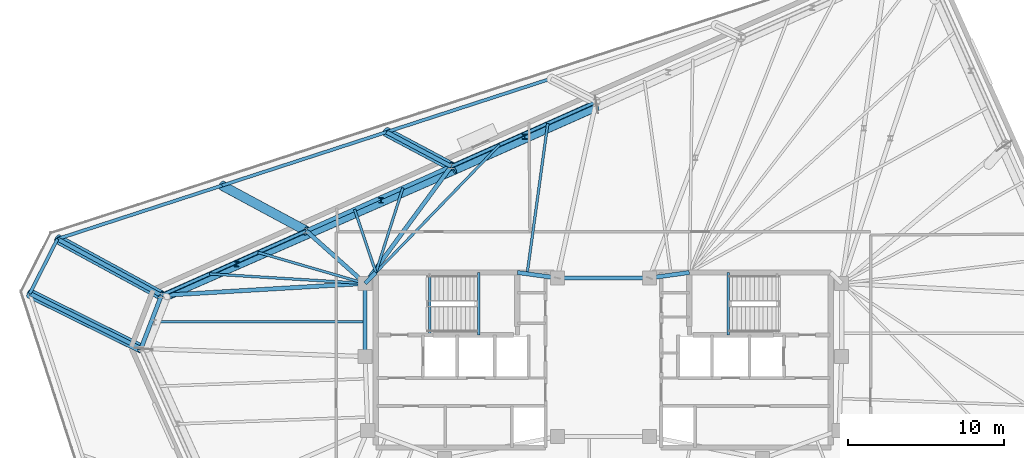
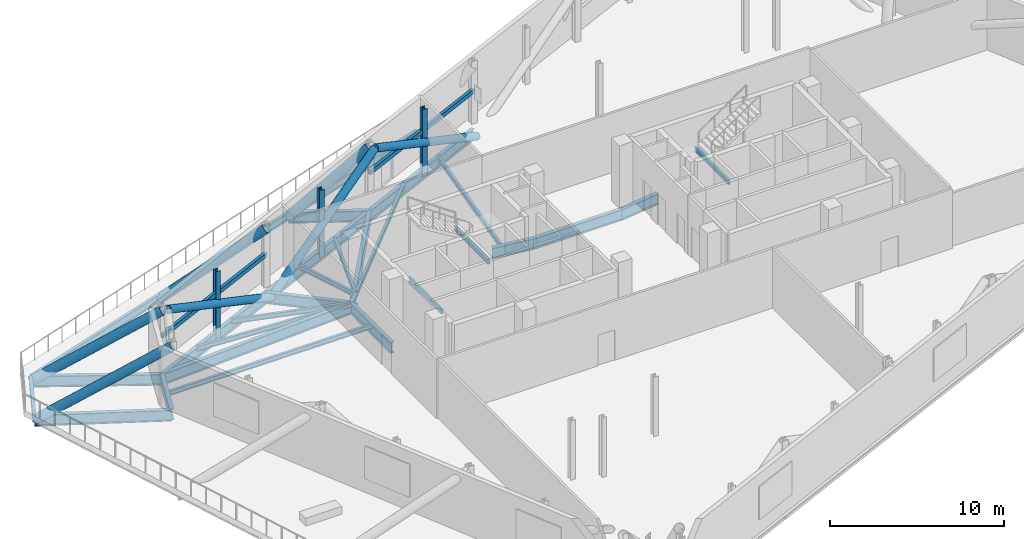
# One storey, part 6 of 15: 29 beams, 12 members.
"""IFC4 building model written with IfcOpenShell, lengths in metres."""

from ifc_helpers import new_model, si_unit, direction, frame, origin, origin_2d, place, context, subcontext, project, spatial, hollow_rectangle, hollow_circle, i_section, extrude, material, material_profile, profile_set, type_object, element, save


model = new_model("IFC4")

# Units and contexts
model_context = context("Model", 3, precision=1e-05, world=origin(), true_north=direction((0.0, 1.0)))
body_context = subcontext(model_context, "Body", "Model", "MODEL_VIEW")
ifc_project = project(units=[si_unit("LENGTHUNIT", "METRE"), si_unit("AREAUNIT", "SQUARE_METRE"), si_unit("VOLUMEUNIT", "CUBIC_METRE"), si_unit("PLANEANGLEUNIT", "RADIAN"), si_unit("MASSUNIT", "GRAM", prefix="KILO")], contexts=[model_context])

# Site, building, storey
site_placement = place(None, origin())
site = spatial("IfcSite", under=ifc_project, at=site_placement, CompositionType="ELEMENT")
building_placement = place(site_placement, origin())
building = spatial("IfcBuilding", under=site, at=building_placement, Name="Menara Jurai Vektor", CompositionType="ELEMENT")
storey_placement = place(building_placement, frame((0.0, 0.0, 254.449951171875)))
storey = spatial("IfcBuildingStorey", under=building, at=storey_placement, Name="L68", CompositionType="ELEMENT", Elevation=254.449951171875)

# Beams
ifc_material_1 = material(Name="Steel S355", Category="steel")
ifc_material_profile_1 = material_profile(ifc_material_1, i_section(OverallWidth=0.2109375, OverallDepth=0.5390625, WebThickness=0.011962890625, FlangeThickness=0.01904296875, FilletRadius=0.012939453125, at=origin_2d()), Name="UKB 533x210x109")
ifc_profile_set_1 = profile_set([ifc_material_profile_1], Name="Steel S355")
beam_type_1 = type_object("IfcBeamType", Name="STR-BM-533", PredefinedType="BEAM", material=ifc_profile_set_1)
for number, where, z_axis, x_axis, name in (
    (1, (-3.345703125, 18.008544921875, -0.674560546875), (-0.951057401967, -0.309014268544, 0.0), (0.309014268544, -0.951057401967, 0.0), "Step Terrace Edge Beam L68-13"),
    (2, (-13.875, 14.58740234375, -0.674560546875), (-0.951057401967, -0.309014268544, 0.0), (0.309014268544, -0.951057401967, 0.0), "Step Terrace Edge Beam L68-14"),
    (3, (-24.404296875, 11.166259765625, -0.674560546875), (-0.951057401967, -0.309014268544, 0.0), (0.309014268544, -0.951057401967, 0.0), "Step Terrace Edge Beam L68-15"),
):
    element("IfcBeam", number, at=place(storey_placement, frame(where, z_axis=z_axis, x_axis=x_axis)), inside=storey, type_object=beam_type_1, Name=name, PredefinedType="BEAM", context=body_context, shape_type="SweptSolid", body=[
        extrude(i_section(OverallWidth=0.2109375, OverallDepth=0.5390625, WebThickness=0.011962890625, FlangeThickness=0.01904296875, FilletRadius=0.012939453125, at=origin_2d()), origin(), (0.0, 0.0, 1.0), 11.071044921875),
    ])
beam_1_placement = place(storey_placement, frame((-34.93359375, 7.7451171875, -0.674560546875), z_axis=(-0.453976155955, -0.891013832566, 0.0), x_axis=(0.891013832566, -0.453976155955, 0.0)))
element("IfcBeam", 4, at=beam_1_placement, inside=storey, type_object=beam_type_1, Name="Step Terrace Edge Beam L68-16", PredefinedType="BEAM", context=body_context, shape_type="SweptSolid", body=[
    extrude(i_section(OverallWidth=0.2109375, OverallDepth=0.5390625, WebThickness=0.011962890625, FlangeThickness=0.01904296875, FilletRadius=0.012939453125, at=origin_2d()), origin(), (0.0, 0.0, 1.0), 3.92041015625),
])
ifc_material_2 = material(Name="Steel S460", Category="steel")
ifc_material_profile_2 = material_profile(ifc_material_2, i_section(OverallWidth=0.26806640625, OverallDepth=0.77001953125, WebThickness=0.01611328125, FlangeThickness=0.02490234375, FilletRadius=0.01708984375, at=origin_2d()), Name="UKB 762x267x197")
ifc_profile_set_2 = profile_set([ifc_material_profile_2], Name="Steel S460")
beam_type_2 = type_object("IfcBeamType", Name="STR-BM-TR762", PredefinedType="BEAM", material=ifc_profile_set_2)
beam_2_placement = place(storey_placement, frame((-15.25, 4.89990234375, -0.7900390625), z_axis=(0.701871936926, 0.712303154672, 0.0), x_axis=(-0.712303154672, 0.701871936926, 0.0)))
element("IfcBeam", 5, at=beam_2_placement, inside=storey, type_object=beam_type_2, Name="Core Ring Header Girder L68-CHW-N1", PredefinedType="BEAM", context=body_context, shape_type="SweptSolid", body=[
    extrude(i_section(OverallWidth=0.26806640625, OverallDepth=0.77001953125, WebThickness=0.01611328125, FlangeThickness=0.02490234375, FilletRadius=0.01708984375, at=origin_2d()), origin(), (0.0, 0.0, 1.0), 0.98291015625),
])
beam_3_placement = place(storey_placement, frame((-5.5, 5.60009765625, -0.7900390625), z_axis=(0.990706818608, -0.136014703483, 0.0), x_axis=(0.136014703483, 0.990706818608, 0.0)))
element("IfcBeam", 6, at=beam_3_placement, inside=storey, type_object=beam_type_2, Name="Core Ring Header Girder L68-CHW-N2", PredefinedType="BEAM", context=body_context, shape_type="SweptSolid", body=[
    extrude(i_section(OverallWidth=0.26806640625, OverallDepth=0.77001953125, WebThickness=0.01611328125, FlangeThickness=0.02490234375, FilletRadius=0.01708984375, at=origin_2d()), origin(), (0.0, 0.0, 1.0), 2.573974609375),
])
beam_4_placement = place(storey_placement, frame((-15.25, 0.219970703125, -0.7900390625), z_axis=(0.0, 1.0, 0.0), x_axis=(-1.0, 0.0, 0.0)))
element("IfcBeam", 7, at=beam_4_placement, inside=storey, type_object=beam_type_2, Name="Core Ring Header Girder L68-CHW-W1", PredefinedType="BEAM", context=body_context, shape_type="SweptSolid", body=[
    extrude(i_section(OverallWidth=0.26806640625, OverallDepth=0.77001953125, WebThickness=0.01611328125, FlangeThickness=0.02490234375, FilletRadius=0.01708984375, at=origin_2d()), origin(), (0.0, 0.0, 1.0), 4.679931640625),
])
beam_5_placement = place(storey_placement, frame((2.949951171875, 5.25, -0.7900390625), z_axis=(0.990706818608, 0.136014703483, 0.0), x_axis=(-0.136014703483, 0.990706818608, 0.0)))
element("IfcBeam", 8, at=beam_5_placement, inside=storey, type_object=beam_type_2, Name="Core Ring Header Girder L68-CHE-N1", PredefinedType="BEAM", context=body_context, shape_type="SweptSolid", body=[
    extrude(i_section(OverallWidth=0.26806640625, OverallDepth=0.77001953125, WebThickness=0.01611328125, FlangeThickness=0.02490234375, FilletRadius=0.01708984375, at=origin_2d()), origin(), (0.0, 0.0, 1.0), 2.573974609375),
])
beam_6_placement = place(storey_placement, frame((-2.949951171875, 5.25, -0.7900390625), z_axis=(1.0, 0.0, 0.0), x_axis=(0.0, 1.0, 0.0)))
element("IfcBeam", 9, at=beam_6_placement, inside=storey, type_object=beam_type_2, Name="Core Ring Header Girder L68-CC-2", PredefinedType="BEAM", context=body_context, shape_type="SweptSolid", body=[
    extrude(i_section(OverallWidth=0.26806640625, OverallDepth=0.77001953125, WebThickness=0.01611328125, FlangeThickness=0.02490234375, FilletRadius=0.01708984375, at=origin_2d()), origin(), (0.0, 0.0, 1.0), 5.89990234375),
])
for number, where, z_axis, x_axis, name in (
    (10, (-0.467529296875, 16.519287109375, -0.7900390625), (-0.913541582548, -0.406745346568, 0.0), (0.406745346568, -0.913541582548, 0.0), "Belt Truss Bottom Chord L68-13"),
    (11, (-9.740966796875, 12.390380859375, -0.7900390625), (-0.913554497648, -0.406716338284, 0.0), (0.406716338284, -0.913554497648, 0.0), "Belt Truss Bottom Chord L68-14"),
):
    element("IfcBeam", number, at=place(storey_placement, frame(where, z_axis=z_axis, x_axis=x_axis)), inside=storey, type_object=beam_type_2, Name=name, PredefinedType="BEAM", context=body_context, shape_type="SweptSolid", body=[
        extrude(i_section(OverallWidth=0.26806640625, OverallDepth=0.77001953125, WebThickness=0.01611328125, FlangeThickness=0.02490234375, FilletRadius=0.01708984375, at=origin_2d()), origin(), (0.0, 0.0, 1.0), 10.151123046875),
    ])
beam_7_placement = place(storey_placement, frame((-13.875, 14.58740234375, -0.7900390625), z_axis=(0.883043462598, -0.469291213602, 0.0), x_axis=(0.469291213602, 0.883043462598, 0.0)))
element("IfcBeam", 12, at=beam_7_placement, inside=storey, type_object=beam_type_2, Name="Cantilever Transfer Girder L68-N4", PredefinedType="BEAM", context=body_context, shape_type="SweptSolid", body=[
    extrude(i_section(OverallWidth=0.26806640625, OverallDepth=0.77001953125, WebThickness=0.01611328125, FlangeThickness=0.02490234375, FilletRadius=0.01708984375, at=origin_2d()), origin(), (0.0, 0.0, 1.0), 4.681640625),
])
beam_8_placement = place(storey_placement, frame((-9.740966796875, 12.390380859375, -0.7900390625), z_axis=(-0.592483178081, -0.805582822366, 0.0), x_axis=(0.805582822366, -0.592483178081, 0.0)))
element("IfcBeam", 13, at=beam_8_placement, inside=storey, type_object=beam_type_2, Name="Outrigger Transfer Girder L68-N4", PredefinedType="BEAM", context=body_context, shape_type="SweptSolid", body=[
    extrude(i_section(OverallWidth=0.26806640625, OverallDepth=0.77001953125, WebThickness=0.01611328125, FlangeThickness=0.02490234375, FilletRadius=0.01708984375, at=origin_2d()), origin(), (0.0, 0.0, 1.0), 9.298095703125),
])
beam_9_placement = place(storey_placement, frame((-19.0146484375, 8.26171875, -0.7900390625), z_axis=(-0.913541582548, -0.406745346568, 0.0), x_axis=(0.406745346568, -0.913541582548, 0.0)))
element("IfcBeam", 14, at=beam_9_placement, inside=storey, type_object=beam_type_2, Name="Belt Truss Bottom Chord L68-15", PredefinedType="BEAM", context=body_context, shape_type="SweptSolid", body=[
    extrude(i_section(OverallWidth=0.26806640625, OverallDepth=0.77001953125, WebThickness=0.01611328125, FlangeThickness=0.02490234375, FilletRadius=0.01708984375, at=origin_2d()), origin(), (0.0, 0.0, 1.0), 10.151123046875),
])
beam_10_placement = place(storey_placement, frame((-19.0146484375, 8.26171875, -0.7900390625), z_axis=(0.745886163995, -0.666073442167, 0.0), x_axis=(0.666073442167, 0.745886163995, 0.0)))
element("IfcBeam", 15, at=beam_10_placement, inside=storey, type_object=beam_type_2, Name="Outrigger Transfer Girder L68-N5", PredefinedType="BEAM", context=body_context, shape_type="SweptSolid", body=[
    extrude(i_section(OverallWidth=0.26806640625, OverallDepth=0.77001953125, WebThickness=0.01611328125, FlangeThickness=0.02490234375, FilletRadius=0.01708984375, at=origin_2d()), origin(), (0.0, 0.0, 1.0), 5.047119140625),
])
beam_11_placement = place(storey_placement, frame((-28.2880859375, 4.1328125, -0.7900390625), z_axis=(-0.358394346877, -0.933570293083, 0.0), x_axis=(0.933570293083, -0.358394346877, 0.0)))
element("IfcBeam", 16, at=beam_11_placement, inside=storey, type_object=beam_type_2, Name="Belt Truss Bottom Chord L68-16", PredefinedType="BEAM", context=body_context, shape_type="SweptSolid", body=[
    extrude(i_section(OverallWidth=0.26806640625, OverallDepth=0.77001953125, WebThickness=0.01611328125, FlangeThickness=0.02490234375, FilletRadius=0.01708984375, at=origin_2d()), origin(), (0.0, 0.0, 1.0), 3.6376953125),
])
beam_12_placement = place(storey_placement, frame((-34.93359375, 7.7451171875, -0.7900390625), z_axis=(0.878590357596, -0.477576154702, 0.0), x_axis=(0.477576154702, 0.878590357596, 0.0)))
element("IfcBeam", 17, at=beam_12_placement, inside=storey, type_object=beam_type_2, Name="Cantilever Transfer Girder L68-N6", PredefinedType="BEAM", context=body_context, shape_type="SweptSolid", body=[
    extrude(i_section(OverallWidth=0.26806640625, OverallDepth=0.77001953125, WebThickness=0.01611328125, FlangeThickness=0.02490234375, FilletRadius=0.01708984375, at=origin_2d()), origin(), (0.0, 0.0, 1.0), 7.563720703125),
])
beam_13_placement = place(storey_placement, frame((-28.2880859375, 4.1328125, -0.7900390625), z_axis=(0.998273728533, 0.058732979834, 0.0), x_axis=(-0.058732979834, 0.998273728533, 0.0)))
element("IfcBeam", 18, at=beam_13_placement, inside=storey, type_object=beam_type_2, Name="Outrigger Transfer Girder L68-N6", PredefinedType="BEAM", context=body_context, shape_type="SweptSolid", body=[
    extrude(i_section(OverallWidth=0.26806640625, OverallDepth=0.77001953125, WebThickness=0.01611328125, FlangeThickness=0.02490234375, FilletRadius=0.01708984375, at=origin_2d()), origin(), (0.0, 0.0, 1.0), 13.060546875),
])
beam_14_placement = place(storey_placement, frame((-36.71337890625, 4.251953125, -0.7900390625), z_axis=(0.896714794372, -0.442608831312, 0.0), x_axis=(0.442608831312, 0.896714794372, 0.0)))
element("IfcBeam", 19, at=beam_14_placement, inside=storey, type_object=beam_type_2, Name="Cantilever Transfer Girder L68-W1", PredefinedType="BEAM", context=body_context, shape_type="SweptSolid", body=[
    extrude(i_section(OverallWidth=0.26806640625, OverallDepth=0.77001953125, WebThickness=0.01611328125, FlangeThickness=0.02490234375, FilletRadius=0.01708984375, at=origin_2d()), origin(), (0.0, 0.0, 1.0), 7.94189453125),
])

# Members
ifc_material_profile_3 = material_profile(ifc_material_2, hollow_circle(Radius=0.25390625, WallThickness=0.02001953125, at=origin_2d()), Name="CHS 508x20")
ifc_profile_set_3 = profile_set([ifc_material_profile_3], Name="Steel S460")
member_type_1 = type_object("IfcMemberType", Name="STR-BR-508", PredefinedType="BRACE", material=ifc_profile_set_3)
member_1_placement = place(storey_placement, frame((-0.41650390625, 16.18310546875, -0.7900390625), z_axis=(-0.822905316731, -0.366370415873, 0.434280506203), x_axis=(0.406726788463, -0.913549845135, 0.0)))
element("IfcMember", 20, at=member_1_placement, inside=storey, type_object=member_type_1, Name="Belt Truss Web Diagonal L68-13", PredefinedType="BRACE", context=body_context, shape_type="SweptSolid", body=[
    extrude(hollow_circle(Radius=0.25390625, WallThickness=0.02001953125, at=origin_2d()), origin(), (0.0, 0.0, 1.0), 11.069091796875),
])
member_2_placement = place(storey_placement, frame((-18.710205078125, 8.110107421875, -0.7900390625), z_axis=(0.82612005358, 0.361357529085, 0.43237297932), x_axis=(-0.400753678635, 0.916185837623, 0.0)))
element("IfcMember", 21, at=member_2_placement, inside=storey, type_object=member_type_1, Name="Belt Truss Web Diagonal L68-14", PredefinedType="BRACE", context=body_context, shape_type="SweptSolid", body=[
    extrude(hollow_circle(Radius=0.25390625, WallThickness=0.02001953125, at=origin_2d()), origin(), (0.0, 0.0, 1.0), 11.117919921875),
])
member_3_placement = place(storey_placement, frame((-18.710205078125, 8.110107421875, -0.7900390625), z_axis=(-0.827021983928, -0.36211284997, 0.430010374278), x_axis=(0.401089106524, -0.916039043179, 0.0)))
element("IfcMember", 22, at=member_3_placement, inside=storey, type_object=member_type_1, Name="Belt Truss Web Diagonal L68-15", PredefinedType="BRACE", context=body_context, shape_type="SweptSolid", body=[
    extrude(hollow_circle(Radius=0.25390625, WallThickness=0.02001953125, at=origin_2d()), origin(), (0.0, 0.0, 1.0), 11.17919921875),
])
ifc_material_profile_4 = material_profile(ifc_material_2, hollow_rectangle(XDim=0.199951171875, YDim=0.300048828125, WallThickness=0.012451171875, at=origin_2d()), Name="RHS 300x200x12.5")
ifc_profile_set_4 = profile_set([ifc_material_profile_4], Name="Steel S460")
member_type_2 = type_object("IfcMemberType", Name="STR-CH-RHS300", PredefinedType="CHORD", material=ifc_profile_set_4)
for number, where, z_axis, x_axis, name in (
    (23, (-0.467529296875, 16.519287109375, 2.22998046875), (-0.913541582548, -0.406745346568, 0.0), (0.406745346568, -0.913541582548, 0.0), "Belt Truss Mid Chord L68-13"),
    (24, (-19.0146484375, 8.26171875, 2.22998046875), (-0.913541582548, -0.406745346568, 0.0), (0.406745346568, -0.913541582548, 0.0), "Belt Truss Mid Chord L68-15"),
):
    element("IfcMember", number, at=place(storey_placement, frame(where, z_axis=z_axis, x_axis=x_axis)), inside=storey, type_object=member_type_2, Name=name, PredefinedType="CHORD", context=body_context, shape_type="SweptSolid", body=[
        extrude(hollow_rectangle(XDim=0.199951171875, YDim=0.300048828125, WallThickness=0.012451171875, at=origin_2d()), origin(), (0.0, 0.0, 1.0), 10.151123046875),
    ])

# Beams
ifc_material_profile_5 = material_profile(ifc_material_1, i_section(OverallWidth=0.1650390625, OverallDepth=0.330078125, WebThickness=0.009033203125, FlangeThickness=0.013916015625, at=origin_2d()), Name="PG 330x165x46")
ifc_profile_set_5 = profile_set([ifc_material_profile_5], Name="Steel S355")
beam_type_3 = type_object("IfcBeamType", Name="STR-JS-330", PredefinedType="JOIST", material=ifc_profile_set_5)
beam_15_placement = place(storey_placement, frame((-3.55859375, 15.14306640625, -0.570068359375), z_axis=(-0.135981954601, -0.990711314169, 0.0), x_axis=(0.990711314169, -0.135981954601, 0.0)))
element("IfcBeam", 25, at=beam_15_placement, inside=storey, type_object=beam_type_3, Name="Radial Secondary Floor Joist L68-JS19", PredefinedType="JOIST", context=body_context, shape_type="SweptSolid", body=[
    extrude(i_section(OverallWidth=0.1650390625, OverallDepth=0.330078125, WebThickness=0.009033203125, FlangeThickness=0.013916015625, at=origin_2d()), origin(), (0.0, 0.0, 1.0), 9.718505859375),
])
beam_16_placement = place(storey_placement, frame((-6.64990234375, 13.766845703125, -0.570068359375), z_axis=(-0.695732556791, -0.718300918433, 0.0), x_axis=(0.718300918433, -0.695732556791, 0.0)))
element("IfcBeam", 26, at=beam_16_placement, inside=storey, type_object=beam_type_3, Name="Radial Secondary Floor Joist L68-JS20", PredefinedType="JOIST", context=body_context, shape_type="SweptSolid", body=[
    extrude(i_section(OverallWidth=0.1650390625, OverallDepth=0.330078125, WebThickness=0.009033203125, FlangeThickness=0.013916015625, at=origin_2d()), origin(), (0.0, 0.0, 1.0), 11.36962890625),
])
beam_17_placement = place(storey_placement, frame((-12.832275390625, 11.01416015625, -0.570068359375), z_axis=(-0.304022753529, -0.952664770702, 0.0), x_axis=(0.952664770702, -0.304022753529, 0.0)))
element("IfcBeam", 27, at=beam_17_placement, inside=storey, type_object=beam_type_3, Name="Radial Secondary Floor Joist L68-JS21", PredefinedType="JOIST", context=body_context, shape_type="SweptSolid", body=[
    extrude(i_section(OverallWidth=0.1650390625, OverallDepth=0.330078125, WebThickness=0.009033203125, FlangeThickness=0.013916015625, at=origin_2d()), origin(), (0.0, 0.0, 1.0), 5.68310546875),
])
beam_18_placement = place(storey_placement, frame((-15.92333984375, 9.637939453125, -0.570068359375), z_axis=(0.319885998438, -0.947456040143, 0.0), x_axis=(0.947456040143, 0.319885998438, 0.0)))
element("IfcBeam", 28, at=beam_18_placement, inside=storey, type_object=beam_type_3, Name="Radial Secondary Floor Joist L68-JS22", PredefinedType="JOIST", context=body_context, shape_type="SweptSolid", body=[
    extrude(i_section(OverallWidth=0.1650390625, OverallDepth=0.330078125, WebThickness=0.009033203125, FlangeThickness=0.013916015625, at=origin_2d()), origin(), (0.0, 0.0, 1.0), 4.26171875),
])
beam_19_placement = place(storey_placement, frame((-22.105712890625, 6.885498046875, -0.570068359375), z_axis=(0.960525066064, -0.278193453306, 0.0), x_axis=(0.278193453306, 0.960525066064, 0.0)))
element("IfcBeam", 29, at=beam_19_placement, inside=storey, type_object=beam_type_3, Name="Radial Secondary Floor Joist L68-JS23", PredefinedType="JOIST", context=body_context, shape_type="SweptSolid", body=[
    extrude(i_section(OverallWidth=0.1650390625, OverallDepth=0.330078125, WebThickness=0.009033203125, FlangeThickness=0.013916015625, at=origin_2d()), origin(), (0.0, 0.0, 1.0), 7.137451171875),
])
beam_20_placement = place(storey_placement, frame((-25.197021484375, 5.509033203125, -0.570068359375), z_axis=(0.998130240593, -0.061123013776, 0.0), x_axis=(0.061123013776, 0.998130240593, 0.0)))
element("IfcBeam", 30, at=beam_20_placement, inside=storey, type_object=beam_type_3, Name="Radial Secondary Floor Joist L68-JS24", PredefinedType="JOIST", context=body_context, shape_type="SweptSolid", body=[
    extrude(i_section(OverallWidth=0.1650390625, OverallDepth=0.330078125, WebThickness=0.009033203125, FlangeThickness=0.013916015625, at=origin_2d()), origin(), (0.0, 0.0, 1.0), 9.965576171875),
])
beam_21_placement = place(storey_placement, frame((-28.93994140625, 2.434814453125, -0.570068359375), z_axis=(1.0, 0.0, 0.0), x_axis=(0.0, 1.0, 0.0)))
element("IfcBeam", 31, at=beam_21_placement, inside=storey, type_object=beam_type_3, Name="Radial Secondary Floor Joist L68-JS25", PredefinedType="JOIST", context=body_context, shape_type="SweptSolid", body=[
    extrude(i_section(OverallWidth=0.1650390625, OverallDepth=0.330078125, WebThickness=0.009033203125, FlangeThickness=0.013916015625, at=origin_2d()), origin(), (0.0, 0.0, 1.0), 13.68994140625),
])
ifc_material_profile_6 = material_profile(ifc_material_1, i_section(OverallWidth=0.1650390625, OverallDepth=0.302978515625, WebThickness=0.006103515625, FlangeThickness=0.010009765625, FilletRadius=0.009033203125, at=origin_2d()), Name="UKB 305x165x40")
ifc_profile_set_6 = profile_set([ifc_material_profile_6], Name="Steel S355")
beam_type_4 = type_object("IfcBeamType", Name="STR-LN-305", PredefinedType="LINTEL", material=ifc_profile_set_6)
beam_22_placement = place(storey_placement, frame((-11.1201171875, 1.60009765625, -0.556396484375), z_axis=(0.0, 1.0, 0.0), x_axis=(-1.0, 0.0, 0.0)))
element("IfcBeam", 32, at=beam_22_placement, inside=storey, type_object=beam_type_4, Name="Stair Well Floor Trimmer ST1 L68", PredefinedType="LINTEL", context=body_context, shape_type="SweptSolid", body=[
    extrude(i_section(OverallWidth=0.1650390625, OverallDepth=0.302978515625, WebThickness=0.006103515625, FlangeThickness=0.010009765625, FilletRadius=0.009033203125, at=origin_2d()), origin(), (0.0, 0.0, 1.0), 3.81982421875),
])
for number, where, z_axis, x_axis, name in (
    (33, (-7.989990234375, 1.60009765625, 1.8486328125), (0.0, 1.0, 0.0), (-1.0, 0.0, 0.0), "Stair Half-Landing Nosing Trimmer ST1-1 L68"),
    (34, (7.989990234375, 1.60009765625, 1.8486328125), (0.0, 1.0, 0.0), (-1.0, 0.0, 0.0), "Stair Half-Landing Nosing Trimmer ST2-1 L68"),
):
    element("IfcBeam", number, at=place(storey_placement, frame(where, z_axis=z_axis, x_axis=x_axis)), inside=storey, type_object=beam_type_4, Name=name, PredefinedType="LINTEL", context=body_context, shape_type="SweptSolid", body=[
        extrude(i_section(OverallWidth=0.1650390625, OverallDepth=0.302978515625, WebThickness=0.006103515625, FlangeThickness=0.010009765625, FilletRadius=0.009033203125, at=origin_2d()), origin(), (0.0, 0.0, 1.0), 4.0),
    ])

# Members
ifc_material_profile_7 = material_profile(ifc_material_2, i_section(OverallWidth=0.31103515625, OverallDepth=0.326904296875, WebThickness=0.01611328125, FlangeThickness=0.02490234375, FilletRadius=0.014892578125, at=origin_2d()), Name="UKC 305x305x158")
ifc_profile_set_7 = profile_set([ifc_material_profile_7], Name="Steel S460")
member_type_3 = type_object("IfcMemberType", Name="STR-POST-305", PredefinedType="POST", material=ifc_profile_set_7)
for number, where, z_axis, x_axis, name in (
    (35, (-5.031005859375, 14.29052734375, -0.7548828125), (0.0, 0.0, 1.0), (1.0, 0.0, 0.0), "Belt Truss Vertical Web Post L68-13"),
    (36, (-14.234375, 10.21728515625, -0.7548828125), (0.0, 0.0, 1.0), (1.0, 0.0, 0.0), "Belt Truss Vertical Web Post L68-14"),
    (37, (-23.48046875, 6.140869140625, -0.7548828125), (0.0, 0.0, 1.0), (1.0, 0.0, 0.0), "Belt Truss Vertical Web Post L68-15"),
):
    element("IfcMember", number, at=place(storey_placement, frame(where, z_axis=z_axis, x_axis=x_axis)), inside=storey, type_object=member_type_3, Name=name, PredefinedType="POST", context=body_context, shape_type="SweptSolid", body=[
        extrude(i_section(OverallWidth=0.31103515625, OverallDepth=0.326904296875, WebThickness=0.01611328125, FlangeThickness=0.02490234375, FilletRadius=0.014892578125, at=origin_2d()), origin(), (0.0, 0.0, 1.0), 4.72998046875),
    ])
ifc_material_profile_8 = material_profile(ifc_material_2, hollow_circle(Radius=0.304931640625, WallThickness=0.02490234375, at=origin_2d()), Name="CHS 610x25")
ifc_profile_set_8 = profile_set([ifc_material_profile_8], Name="Steel S460")
member_type_4 = type_object("IfcMemberType", Name="STR-ST-610", PredefinedType="STRUT", material=ifc_profile_set_8)
member_4_placement = place(storey_placement, frame((-13.875, 14.58740234375, -0.7900390625), z_axis=(0.616089913533, -0.327419425494, 0.716400543168), x_axis=(0.469291213602, 0.883043462598, 0.0)))
element("IfcMember", 38, at=member_4_placement, inside=storey, type_object=member_type_4, Name="Transfer Outrigger Strut L68-N4", PredefinedType="STRUT", context=body_context, shape_type="SweptSolid", body=[
    extrude(hollow_circle(Radius=0.304931640625, WallThickness=0.02490234375, at=origin_2d()), origin(), (0.0, 0.0, 1.0), 6.710205078125),
])
member_5_placement = place(storey_placement, frame((-24.404296875, 11.166259765625, -0.7900390625), z_axis=(0.692386588091, -0.373134772537, 0.617552632701), x_axis=(0.474406547942, 0.880305871427, 0.0)))
element("IfcMember", 39, at=member_5_placement, inside=storey, type_object=member_type_4, Name="Transfer Outrigger Strut L68-N5", PredefinedType="STRUT", context=body_context, shape_type="SweptSolid", body=[
    extrude(hollow_circle(Radius=0.304931640625, WallThickness=0.02490234375, at=origin_2d()), origin(), (0.0, 0.0, 1.0), 7.7841796875),
])
member_6_placement = place(storey_placement, frame((-34.93359375, 7.7451171875, -0.7900390625), z_axis=(0.741508788192, -0.403062602134, 0.536381632605), x_axis=(0.477576154702, 0.878590357596, 0.0)))
element("IfcMember", 40, at=member_6_placement, inside=storey, type_object=member_type_4, Name="Transfer Outrigger Strut L68-N6", PredefinedType="STRUT", context=body_context, shape_type="SweptSolid", body=[
    extrude(hollow_circle(Radius=0.304931640625, WallThickness=0.02490234375, at=origin_2d()), origin(), (0.0, 0.0, 1.0), 8.962158203125),
])
member_7_placement = place(storey_placement, frame((-36.71337890625, 4.251953125, -0.7900390625), z_axis=(0.767130397448, -0.378647359015, 0.51781959293), x_axis=(0.442608831312, 0.896714794372, 0.0)))
element("IfcMember", 41, at=member_7_placement, inside=storey, type_object=member_type_4, Name="Transfer Outrigger Strut L68-W1", PredefinedType="STRUT", context=body_context, shape_type="SweptSolid", body=[
    extrude(hollow_circle(Radius=0.304931640625, WallThickness=0.02490234375, at=origin_2d()), origin(), (0.0, 0.0, 1.0), 9.283447265625),
])

save(model, "model.ifc")
